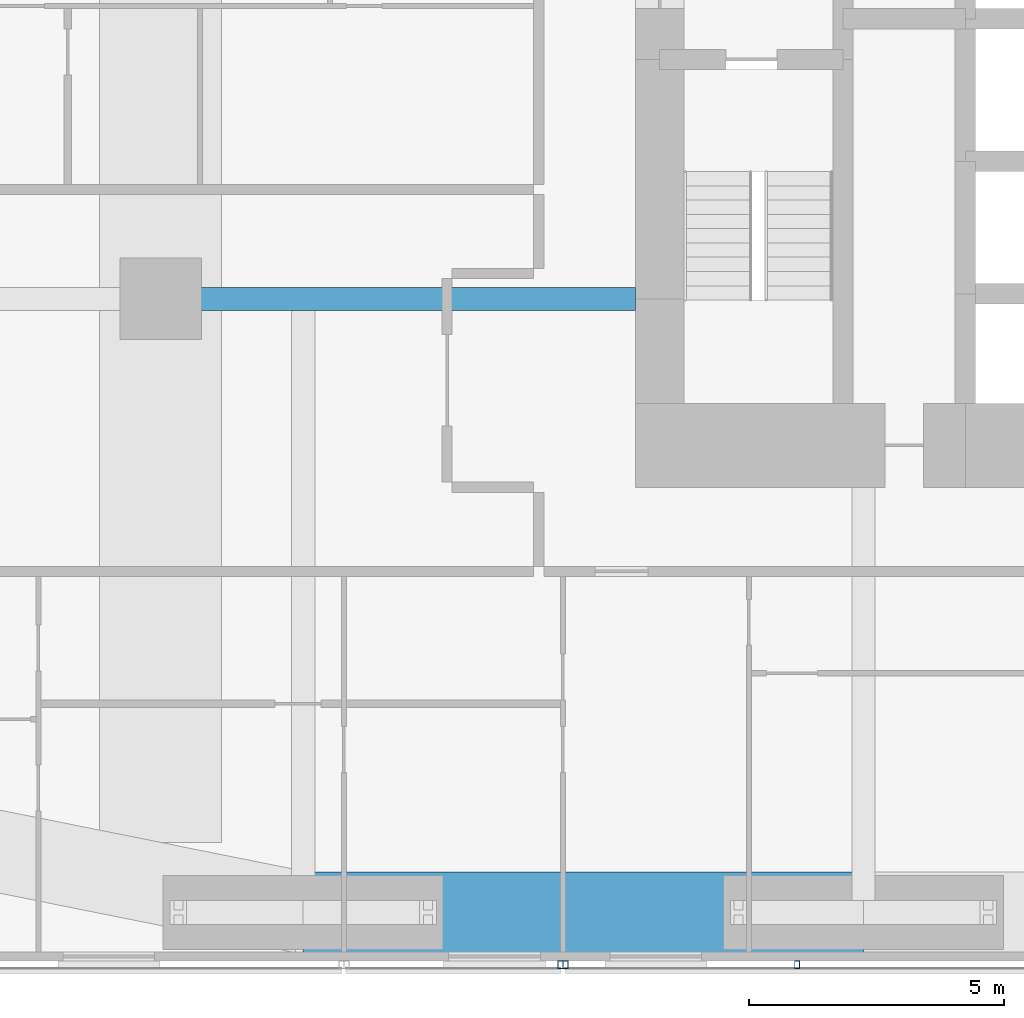
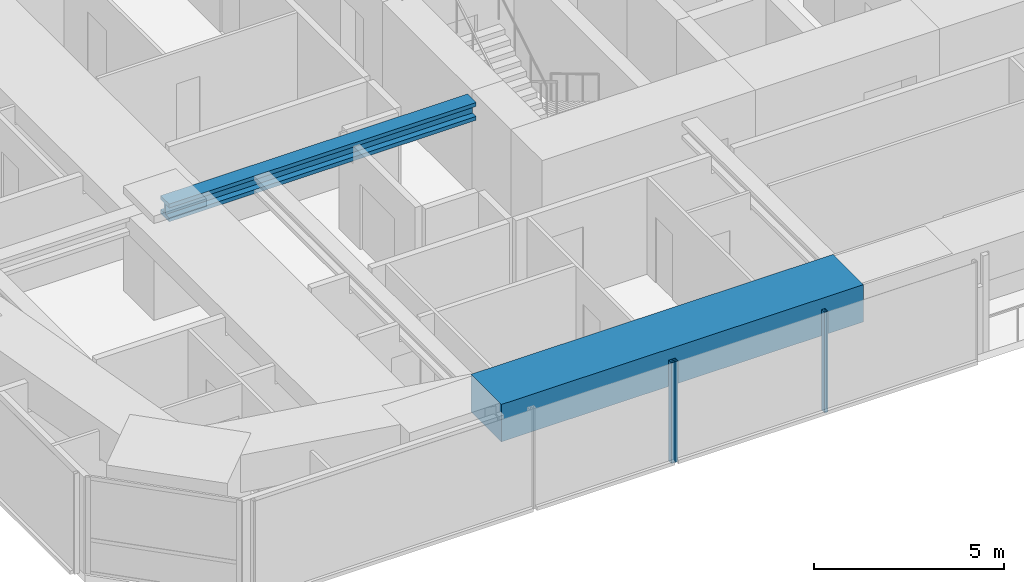
# One storey, part 4 of 24: 3 members, 2 beams, 2 elements without a shape of their own.
"""IFC4 building model written with IfcOpenShell, lengths in metres."""

from ifc_helpers import new_model, si_unit, direction, frame, origin, origin_2d, place, context, subcontext, project, spatial, rectangle, hollow_rectangle, i_section, extrude, material, material_profile, profile_set, type_object, element, aggregate, save


model = new_model("IFC4")

# Units and contexts
model_context = context("Model", 3, precision=1e-05, world=origin(), true_north=direction((0.0, 1.0)))
body_context = subcontext(model_context, "Body", "Model", "MODEL_VIEW")
ifc_project = project(units=[si_unit("LENGTHUNIT", "METRE"), si_unit("AREAUNIT", "SQUARE_METRE"), si_unit("VOLUMEUNIT", "CUBIC_METRE"), si_unit("PLANEANGLEUNIT", "RADIAN"), si_unit("MASSUNIT", "GRAM", prefix="KILO")], contexts=[model_context])

# Site, building, storey
site_placement = place(None, origin())
site = spatial("IfcSite", under=ifc_project, at=site_placement, CompositionType="ELEMENT")
building_placement = place(site_placement, origin())
building = spatial("IfcBuilding", under=site, at=building_placement, Name="Jalousie Tower", CompositionType="ELEMENT")
storey_placement = place(building_placement, frame((0.0, 0.0, 51.14990234375)))
storey = spatial("IfcBuildingStorey", under=building, at=storey_placement, Name="L13", CompositionType="ELEMENT", Elevation=51.14990234375)

# Beams
ifc_material_1 = material(Name="Steel ASTM A992 Grade 50", Category="steel")
ifc_material_profile_1 = material_profile(ifc_material_1, i_section(OverallWidth=0.45458984375, OverallDepth=0.569091796875, WebThickness=0.077880859375, FlangeThickness=0.124755859375, at=origin_2d()), Name="W14X730")
ifc_profile_set_1 = profile_set([ifc_material_profile_1], Name="Steel ASTM A992 Grade 50")
beam_type_1 = type_object("IfcBeamType", Name="LEAN COLLECTOR W14X730", PredefinedType="BEAM", material=ifc_profile_set_1)
beam_1_placement = place(storey_placement, frame((10.199951171875, 13.0, 2.82568359375), z_axis=(1.0, 0.0, 0.0), x_axis=(0.0, 1.0, 0.0)))
element("IfcBeam", 1, at=beam_1_placement, inside=storey, type_object=beam_type_1, Name="Lean collector under L14", PredefinedType="BEAM", context=body_context, shape_type="SweptSolid", body=[
    extrude(i_section(OverallWidth=0.45458984375, OverallDepth=0.569091796875, WebThickness=0.077880859375, FlangeThickness=0.124755859375, at=origin_2d()), origin(), (0.0, 0.0, 1.0), 9.324951171875),
])
ifc_material_2 = material(Name="Concrete f'c 40 MPa", Category="concrete")
ifc_material_profile_2 = material_profile(ifc_material_2, rectangle(XDim=1.60009765625, YDim=1.199951171875, at=origin_2d()), Name="RC 1600x1200")
ifc_profile_set_2 = profile_set([ifc_material_profile_2], Name="Concrete f'c 40 MPa")
beam_type_2 = type_object("IfcBeamType", Name="RC BEAM 1600x1200", PredefinedType="BEAM", material=ifc_profile_set_2)
beam_2_placement = place(storey_placement, frame((13.0, 0.949951171875, 2.75), z_axis=(1.0, 0.0, 0.0), x_axis=(0.0, 1.0, 0.0)))
element("IfcBeam", 2, at=beam_2_placement, inside=storey, type_object=beam_type_2, Name="Edge band beam 02-03 under L14", PredefinedType="BEAM", context=body_context, shape_type="SweptSolid", body=[
    extrude(rectangle(XDim=1.60009765625, YDim=1.199951171875, at=origin_2d()), origin(), (0.0, 0.0, 1.0), 11.0),
])

# Curtain wall, member
ifc_material_3 = material(Name="Perforated aluminium sheet", Category="aluminium")
curtain_wall_type = type_object("IfcCurtainWallType", Name="SOLAR SCREEN SS-1", PredefinedType="USERDEFINED", material=ifc_material_3)
curtain_wall_1_placement = place(storey_placement, origin())
curtain_wall_1 = element("IfcCurtainWall", 3, at=curtain_wall_1_placement, inside=storey, type_object=curtain_wall_type, Name="Solar screen L13", ObjectType="SOLAR SCREEN SS-1", PredefinedType="USERDEFINED")
ifc_material_4 = material(Name="Steel ASTM A500 Grade C", Category="steel")
ifc_material_profile_3 = material_profile(ifc_material_4, hollow_rectangle(XDim=0.1015625, YDim=0.15234375, WallThickness=0.00634765625, at=origin_2d()), Name="HSS6X4X1/4")
ifc_profile_set_3 = profile_set([ifc_material_profile_3], Name="Steel ASTM A500 Grade C")
member_type = type_object("IfcMemberType", Name="SOLAR SCREEN SS-1 MULLION", PredefinedType="MULLION", material=ifc_profile_set_3)
member_1_placement = place(storey_placement, frame((18.050048828125, -0.0712890625, -0.119873046875), z_axis=(0.0, 0.0, 1.0), x_axis=(1.0, 0.0, 0.0)))
member_1 = element("IfcMember", 4, at=member_1_placement, type_object=member_type, Name="SS1 post 2", PredefinedType="MULLION", context=body_context, shape_type="SweptSolid", body=[
    extrude(hollow_rectangle(XDim=0.1015625, YDim=0.15234375, WallThickness=0.00634765625, at=origin_2d()), origin(), (0.0, 0.0, 1.0), 3.22998046875),
])
aggregate(curtain_wall_1, [member_1])

# Curtain wall, members
curtain_wall_2_placement = place(storey_placement, origin())
curtain_wall_2 = element("IfcCurtainWall", 5, at=curtain_wall_2_placement, inside=storey, type_object=curtain_wall_type, Name="Solar screen L13", ObjectType="SOLAR SCREEN SS-1", PredefinedType="USERDEFINED")
member_2_placement = place(storey_placement, frame((18.14990234375, -0.0712890625, -0.119873046875), z_axis=(0.0, 0.0, 1.0), x_axis=(1.0, 0.0, 0.0)))
member_2 = element("IfcMember", 6, at=member_2_placement, type_object=member_type, Name="SS1 post 1", PredefinedType="MULLION", context=body_context, shape_type="SweptSolid", body=[
    extrude(hollow_rectangle(XDim=0.1015625, YDim=0.15234375, WallThickness=0.00634765625, at=origin_2d()), origin(), (0.0, 0.0, 1.0), 3.22998046875),
])
member_3_placement = place(storey_placement, frame((22.699951171875, -0.0712890625, -0.119873046875), z_axis=(0.0, 0.0, 1.0), x_axis=(1.0, 0.0, 0.0)))
member_3 = element("IfcMember", 7, at=member_3_placement, type_object=member_type, Name="SS1 post 2", PredefinedType="MULLION", context=body_context, shape_type="SweptSolid", body=[
    extrude(hollow_rectangle(XDim=0.1015625, YDim=0.15234375, WallThickness=0.00634765625, at=origin_2d()), origin(), (0.0, 0.0, 1.0), 3.22998046875),
])
aggregate(curtain_wall_2, [member_2, member_3])

save(model, "model.ifc")
